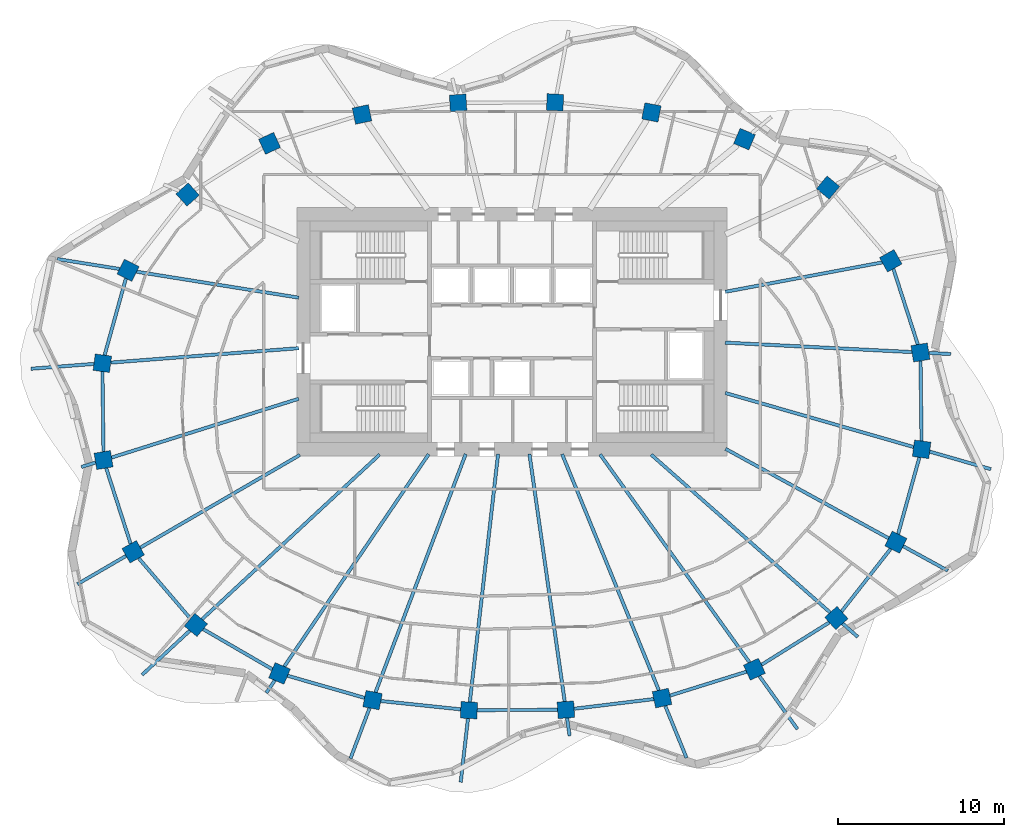
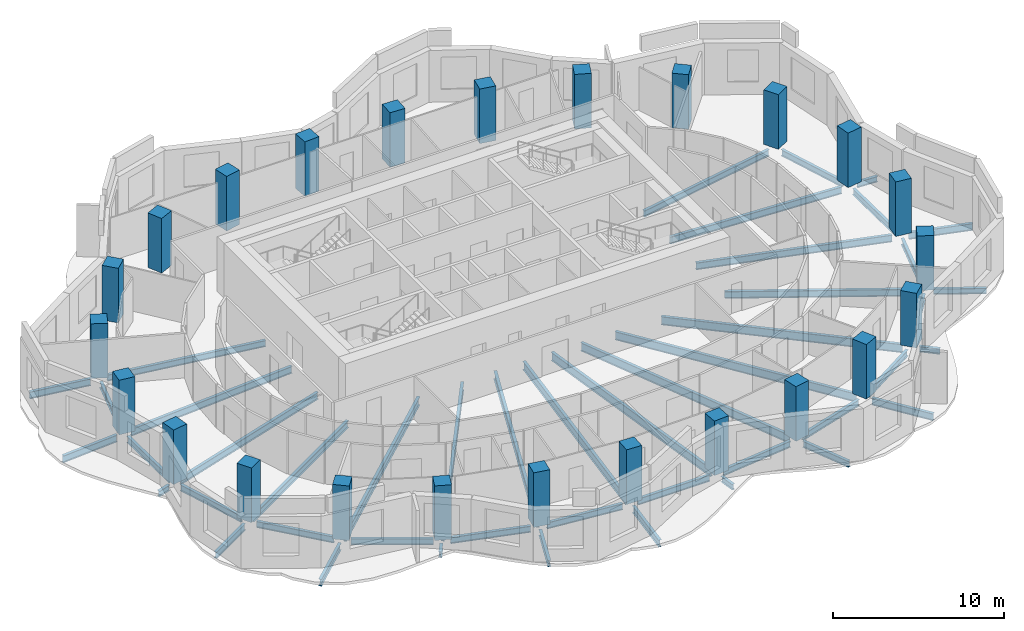
# One storey, part 1 of 11: 46 beams, 24 columns.
"""IFC4 building model written with IfcOpenShell, lengths in metres."""

from ifc_helpers import new_model, si_unit, direction, frame, origin, origin_2d, place, context, subcontext, project, spatial, rectangle, i_section, extrude, material, material_profile, profile_set, type_object, element, save


model = new_model("IFC4")

# Units and contexts
model_context = context("Model", 3, precision=1e-05, world=origin(), true_north=direction((0.0, 1.0)))
body_context = subcontext(model_context, "Body", "Model", "MODEL_VIEW")
ifc_project = project(units=[si_unit("LENGTHUNIT", "METRE"), si_unit("AREAUNIT", "SQUARE_METRE"), si_unit("VOLUMEUNIT", "CUBIC_METRE"), si_unit("PLANEANGLEUNIT", "RADIAN"), si_unit("MASSUNIT", "GRAM", prefix="KILO")], contexts=[model_context])

# Site, building, storey
site_placement = place(None, origin())
site = spatial("IfcSite", under=ifc_project, at=site_placement, CompositionType="ELEMENT")
building_placement = place(site_placement, origin())
building = spatial("IfcBuilding", under=site, at=building_placement, Name="Rubra Terraces Tower", CompositionType="ELEMENT")
storey_placement = place(building_placement, frame((0.0, 0.0, 237.0)))
storey = spatial("IfcBuildingStorey", under=building, at=storey_placement, Name="L58", CompositionType="ELEMENT", Elevation=237.0)

# Columns
ifc_material_1 = material(Name="Concrete C50", Category="concrete")
ifc_material_profile_1 = material_profile(ifc_material_1, rectangle(XDim=1.0, YDim=1.0, at=origin_2d()), Name="RC 1000x1000")
ifc_profile_set_1 = profile_set([ifc_material_profile_1], Name="Concrete C50")
column_type = type_object("IfcColumnType", Name="RING COLUMN RC 1000x1000 C50", PredefinedType="COLUMN", material=ifc_profile_set_1)
for number, where, z_axis, x_axis, name in (
    (1, (24.6689453125, 3.248046875, 0.0), (0.0, 0.0, 1.0), (-0.161559167715, 0.986863027642, 0.0), "column-L58-ring-01"),
    (2, (22.87890625, 8.787109375, 0.0), (0.0, 0.0, 1.0), (-0.48852601316, 0.872549330678, 0.0), "column-L58-ring-02"),
    (3, (19.092041015625, 13.208984375, 0.0), (0.0, 0.0, 1.0), (-0.76886986222, 0.63940529789, 0.0), "column-L58-ring-03"),
    (4, (14.0419921875, 16.135986328125, 0.0), (0.0, 0.0, 1.0), (-0.920167856842, 0.391524092789, 0.0), "column-L58-ring-04"),
    (5, (8.422119140625, 17.7490234375, 0.0), (0.0, 0.0, 1.0), (-0.981654668733, 0.19066754143, 0.0), "column-L58-ring-05"),
    (6, (2.60205078125, 18.35791015625, 0.0), (0.0, 0.0, 1.0), (-0.998764256028, 0.049698700995, 0.0), "column-L58-ring-06"),
    (7, (-3.25390625, 18.330078125, 0.0), (0.0, 0.0, 1.0), (-0.998031548759, -0.062713855578, 0.0), "column-L58-ring-07"),
    (8, (-9.06298828125, 17.625, 0.0), (0.0, 0.0, 1.0), (-0.977652674797, -0.210226657352, 0.0), "column-L58-ring-08"),
    (9, (-14.64306640625, 15.881103515625, 0.0), (0.0, 0.0, 1.0), (-0.908778580451, -0.417278673927, 0.0), "column-L58-ring-09"),
    (10, (-19.593017578125, 12.7900390625, 0.0), (0.0, 0.0, 1.0), (-0.744021317198, -0.668155879683, 0.0), "column-L58-ring-10"),
    (11, (-23.18505859375, 8.2099609375, 0.0), (0.0, 0.0, 1.0), (-0.451027931402, -0.892509834733, 0.0), "column-L58-ring-11"),
    (12, (-24.742919921875, 2.59912109375, 0.0), (0.0, 0.0, 1.0), (-0.128443684554, -0.991716804283, 0.0), "column-L58-ring-12"),
    (13, (-24.6689453125, -3.248046875, 0.0), (0.0, 0.0, 1.0), (0.161559167715, -0.986863027642, 0.0), "column-L58-ring-13"),
    (14, (-22.87890625, -8.787109375, 0.0), (0.0, 0.0, 1.0), (0.48852601316, -0.872549330678, 0.0), "column-L58-ring-14"),
    (15, (-19.092041015625, -13.208984375, 0.0), (0.0, 0.0, 1.0), (0.76886986222, -0.63940529789, 0.0), "column-L58-ring-15"),
    (16, (-14.0419921875, -16.135986328125, 0.0), (0.0, 0.0, 1.0), (0.920167856842, -0.391524092789, 0.0), "column-L58-ring-16"),
    (17, (-8.422119140625, -17.7490234375, 0.0), (0.0, 0.0, 1.0), (0.981654668733, -0.19066754143, 0.0), "column-L58-ring-17"),
    (18, (-2.60205078125, -18.35791015625, 0.0), (0.0, 0.0, 1.0), (0.998764256028, -0.049698700995, 0.0), "column-L58-ring-18"),
    (19, (3.25390625, -18.330078125, 0.0), (0.0, 0.0, 1.0), (0.998031548759, 0.062713855578, 0.0), "column-L58-ring-19"),
    (20, (9.06298828125, -17.625, 0.0), (0.0, 0.0, 1.0), (0.977652674797, 0.210226657352, 0.0), "column-L58-ring-20"),
    (21, (14.64306640625, -15.881103515625, 0.0), (0.0, 0.0, 1.0), (0.908778580451, 0.417278673927, 0.0), "column-L58-ring-21"),
    (22, (19.593017578125, -12.7900390625, 0.0), (0.0, 0.0, 1.0), (0.744021317198, 0.668155879683, 0.0), "column-L58-ring-22"),
    (23, (23.18505859375, -8.2099609375, 0.0), (0.0, 0.0, 1.0), (0.451027931402, 0.892509834733, 0.0), "column-L58-ring-23"),
    (24, (24.742919921875, -2.59912109375, 0.0), (0.0, 0.0, 1.0), (0.128443684554, 0.991716804283, 0.0), "column-L58-ring-24"),
):
    element("IfcColumn", number, at=place(storey_placement, frame(where, z_axis=z_axis, x_axis=x_axis)), inside=storey, type_object=column_type, Name=name, PredefinedType="COLUMN", context=body_context, shape_type="SweptSolid", body=[
        extrude(rectangle(XDim=1.0, YDim=1.0, at=origin_2d()), origin(), (0.0, 0.0, 1.0), 3.89990234375),
    ])

# Beams
ifc_material_2 = material(Name="Steel Q355B", Category="steel")
ifc_material_profile_2 = material_profile(ifc_material_2, i_section(OverallWidth=0.199951171875, OverallDepth=0.39990234375, WebThickness=0.008056640625, FlangeThickness=0.012939453125, at=origin_2d()), Name="HN 400x200x8x13")
ifc_profile_set_2 = profile_set([ifc_material_profile_2], Name="Steel Q355B")
beam_type_1 = type_object("IfcBeamType", Name="CANTILEVER BEAM HN 400x200x8x13", PredefinedType="BEAM", material=ifc_profile_set_2)
beam_1_placement = place(storey_placement, frame((23.6240234375, -8.449951171875, -0.39990234375), z_axis=(0.876753057926, -0.480940823197, 0.0), x_axis=(0.480940823197, 0.876753057926, 0.0)))
element("IfcBeam", 25, at=beam_1_placement, inside=storey, type_object=beam_type_1, Name="beam-L58-cant-23", PredefinedType="BEAM", context=body_context, shape_type="SweptSolid", body=[
    extrude(i_section(OverallWidth=0.199951171875, OverallDepth=0.39990234375, WebThickness=0.008056640625, FlangeThickness=0.012939453125, at=origin_2d()), origin(), (0.0, 0.0, 1.0), 3.0771484375),
])
ifc_material_profile_3 = material_profile(ifc_material_2, i_section(OverallWidth=0.198974609375, OverallDepth=0.446044921875, WebThickness=0.008056640625, FlangeThickness=0.011962890625, at=origin_2d()), Name="HN 446x199x8x12")
ifc_profile_set_3 = profile_set([ifc_material_profile_3], Name="Steel Q355B")
beam_type_2 = type_object("IfcBeamType", Name="CANTILEVER BEAM HN 446x199x8x12", PredefinedType="BEAM", material=ifc_profile_set_3)
beam_2_placement = place(storey_placement, frame((-23.31103515625, -9.0380859375, -0.423095703125), z_axis=(-0.864731547831, -0.50223435783, 0.0), x_axis=(0.50223435783, -0.864731547831, 0.0)))
element("IfcBeam", 26, at=beam_2_placement, inside=storey, type_object=beam_type_2, Name="beam-L58-cant-14", PredefinedType="BEAM", context=body_context, shape_type="SweptSolid", body=[
    extrude(i_section(OverallWidth=0.198974609375, OverallDepth=0.446044921875, WebThickness=0.008056640625, FlangeThickness=0.011962890625, at=origin_2d()), origin(), (0.0, 0.0, 1.0), 3.396484375),
])
beam_3_placement = place(storey_placement, frame((-8.60205078125, -18.222900390625, -0.423095703125), z_axis=(-0.353886787497, -0.935288266597, 0.0), x_axis=(0.935288266597, -0.353886787497, 0.0)))
element("IfcBeam", 27, at=beam_3_placement, inside=storey, type_object=beam_type_2, Name="beam-L58-cant-17", PredefinedType="BEAM", context=body_context, shape_type="SweptSolid", body=[
    extrude(i_section(OverallWidth=0.198974609375, OverallDepth=0.446044921875, WebThickness=0.008056640625, FlangeThickness=0.011962890625, at=origin_2d()), origin(), (0.0, 0.0, 1.0), 3.260986328125),
])
beam_4_placement = place(storey_placement, frame((9.256103515625, -18.094970703125, -0.423095703125), z_axis=(0.378957804719, -0.925413951831, 0.0), x_axis=(0.925413951831, 0.378957804719, 0.0)))
element("IfcBeam", 28, at=beam_4_placement, inside=storey, type_object=beam_type_2, Name="beam-L58-cant-20", PredefinedType="BEAM", context=body_context, shape_type="SweptSolid", body=[
    extrude(i_section(OverallWidth=0.198974609375, OverallDepth=0.446044921875, WebThickness=0.008056640625, FlangeThickness=0.011962890625, at=origin_2d()), origin(), (0.0, 0.0, 1.0), 3.393310546875),
])
ifc_material_profile_4 = material_profile(ifc_material_2, i_section(OverallWidth=0.198974609375, OverallDepth=0.49609375, WebThickness=0.009033203125, FlangeThickness=0.013916015625, at=origin_2d()), Name="HN 496x199x9x14")
ifc_profile_set_4 = profile_set([ifc_material_profile_4], Name="Steel Q355B")
beam_type_3 = type_object("IfcBeamType", Name="CANTILEVER BEAM HN 496x199x9x14", PredefinedType="BEAM", material=ifc_profile_set_4)
beam_5_placement = place(storey_placement, frame((-23.702880859375, 8.29296875, -0.447998046875), z_axis=(-0.98745581053, 0.157895605548, 0.0), x_axis=(-0.157895605548, -0.98745581053, 0.0)))
element("IfcBeam", 29, at=beam_5_placement, inside=storey, type_object=beam_type_3, Name="beam-L58-cant-11", PredefinedType="BEAM", context=body_context, shape_type="SweptSolid", body=[
    extrude(i_section(OverallWidth=0.198974609375, OverallDepth=0.49609375, WebThickness=0.009033203125, FlangeThickness=0.013916015625, at=origin_2d()), origin(), (0.0, 0.0, 1.0), 3.81298828125),
])
beam_6_placement = place(storey_placement, frame((-25.251953125, 2.56005859375, -0.447998046875), z_axis=(-0.997068393292, -0.076515482732, 0.0), x_axis=(0.076515482732, -0.997068393292, 0.0)))
element("IfcBeam", 30, at=beam_6_placement, inside=storey, type_object=beam_type_3, Name="beam-L58-cant-12", PredefinedType="BEAM", context=body_context, shape_type="SweptSolid", body=[
    extrude(i_section(OverallWidth=0.198974609375, OverallDepth=0.49609375, WebThickness=0.009033203125, FlangeThickness=0.013916015625, at=origin_2d()), origin(), (0.0, 0.0, 1.0), 3.816162109375),
])
beam_7_placement = place(storey_placement, frame((-19.4619140625, -13.552001953125, -0.447998046875), z_axis=(-0.733256316267, -0.679952332634, 0.0), x_axis=(0.679952332634, -0.733256316267, 0.0)))
element("IfcBeam", 31, at=beam_7_placement, inside=storey, type_object=beam_type_3, Name="beam-L58-cant-15", PredefinedType="BEAM", context=body_context, shape_type="SweptSolid", body=[
    extrude(i_section(OverallWidth=0.198974609375, OverallDepth=0.49609375, WebThickness=0.009033203125, FlangeThickness=0.013916015625, at=origin_2d()), origin(), (0.0, 0.0, 1.0), 3.92529296875),
])
beam_8_placement = place(storey_placement, frame((-2.658935546875, -18.85595703125, -0.447998046875), z_axis=(-0.113002967093, -0.993594650463, 0.0), x_axis=(0.993594650463, -0.113002967093, 0.0)))
element("IfcBeam", 32, at=beam_8_placement, inside=storey, type_object=beam_type_3, Name="beam-L58-cant-18", PredefinedType="BEAM", context=body_context, shape_type="SweptSolid", body=[
    extrude(i_section(OverallWidth=0.198974609375, OverallDepth=0.49609375, WebThickness=0.009033203125, FlangeThickness=0.013916015625, at=origin_2d()), origin(), (0.0, 0.0, 1.0), 3.8759765625),
])
beam_9_placement = place(storey_placement, frame((14.93994140625, -16.294921875, -0.447998046875), z_axis=(0.583477927211, -0.812128997424, 0.0), x_axis=(0.812128997424, 0.583477927211, 0.0)))
element("IfcBeam", 33, at=beam_9_placement, inside=storey, type_object=beam_type_3, Name="beam-L58-cant-21", PredefinedType="BEAM", context=body_context, shape_type="SweptSolid", body=[
    extrude(i_section(OverallWidth=0.198974609375, OverallDepth=0.49609375, WebThickness=0.009033203125, FlangeThickness=0.013916015625, at=origin_2d()), origin(), (0.0, 0.0, 1.0), 3.9453125),
])
beam_10_placement = place(storey_placement, frame((25.22900390625, -2.738037109375, -0.447998046875), z_axis=(0.961168845491, -0.275960958213, 0.0), x_axis=(0.275960958213, 0.961168845491, 0.0)))
element("IfcBeam", 34, at=beam_10_placement, inside=storey, type_object=beam_type_3, Name="beam-L58-cant-24", PredefinedType="BEAM", context=body_context, shape_type="SweptSolid", body=[
    extrude(i_section(OverallWidth=0.198974609375, OverallDepth=0.49609375, WebThickness=0.009033203125, FlangeThickness=0.013916015625, at=origin_2d()), origin(), (0.0, 0.0, 1.0), 3.848388671875),
])
ifc_material_profile_5 = material_profile(ifc_material_2, i_section(OverallWidth=0.199951171875, OverallDepth=0.39990234375, WebThickness=0.008056640625, FlangeThickness=0.012939453125, at=origin_2d()), Name="HN 400x200x8x13")
ifc_profile_set_5 = profile_set([ifc_material_profile_5], Name="Steel Q355B")
beam_type_4 = type_object("IfcBeamType", Name="CANTILEVER STUB HN 400x200x8x13", PredefinedType="BEAM", material=ifc_profile_set_5)
beam_11_placement = place(storey_placement, frame((25.179931640625, 3.221923828125, -0.39990234375), z_axis=(0.998722263749, -0.050535530982, 0.0), x_axis=(0.050535530982, 0.998722263749, 0.0)))
element("IfcBeam", 35, at=beam_11_placement, inside=storey, type_object=beam_type_4, Name="beam-L58-cant-01", PredefinedType="BEAM", context=body_context, shape_type="SweptSolid", body=[
    extrude(i_section(OverallWidth=0.199951171875, OverallDepth=0.39990234375, WebThickness=0.008056640625, FlangeThickness=0.012939453125, at=origin_2d()), origin(), (0.0, 0.0, 1.0), 1.32373046875),
])
beam_12_placement = place(storey_placement, frame((-25.15087890625, -3.39892578125, -0.39990234375), z_axis=(-0.953893863058, -0.300144128746, 0.0), x_axis=(0.300144128746, -0.953893863058, 0.0)))
element("IfcBeam", 36, at=beam_12_placement, inside=storey, type_object=beam_type_4, Name="beam-L58-cant-13", PredefinedType="BEAM", context=body_context, shape_type="SweptSolid", body=[
    extrude(i_section(OverallWidth=0.199951171875, OverallDepth=0.39990234375, WebThickness=0.008056640625, FlangeThickness=0.012939453125, at=origin_2d()), origin(), (0.0, 0.0, 1.0), 0.899658203125),
])
beam_13_placement = place(storey_placement, frame((-14.3291015625, -16.556884765625, -0.39990234375), z_axis=(-0.56169208574, -0.827346360853, 0.0), x_axis=(0.827346360853, -0.56169208574, 0.0)))
element("IfcBeam", 37, at=beam_13_placement, inside=storey, type_object=beam_type_4, Name="beam-L58-cant-16", PredefinedType="BEAM", context=body_context, shape_type="SweptSolid", body=[
    extrude(i_section(OverallWidth=0.199951171875, OverallDepth=0.39990234375, WebThickness=0.008056640625, FlangeThickness=0.012939453125, at=origin_2d()), origin(), (0.0, 0.0, 1.0), 0.907958984375),
])
beam_14_placement = place(storey_placement, frame((3.324951171875, -18.826904296875, -0.39990234375), z_axis=(0.14107703922, -0.989998620709, 0.0), x_axis=(0.989998620709, 0.14107703922, 0.0)))
element("IfcBeam", 38, at=beam_14_placement, inside=storey, type_object=beam_type_4, Name="beam-L58-cant-19", PredefinedType="BEAM", context=body_context, shape_type="SweptSolid", body=[
    extrude(i_section(OverallWidth=0.199951171875, OverallDepth=0.39990234375, WebThickness=0.008056640625, FlangeThickness=0.012939453125, at=origin_2d()), origin(), (0.0, 0.0, 1.0), 1.092041015625),
])
beam_15_placement = place(storey_placement, frame((19.969970703125, -13.123046875, -0.39990234375), z_axis=(0.749756467988, -0.66171386468, 0.0), x_axis=(0.66171386468, 0.749756467988, 0.0)))
element("IfcBeam", 39, at=beam_15_placement, inside=storey, type_object=beam_type_4, Name="beam-L58-cant-22", PredefinedType="BEAM", context=body_context, shape_type="SweptSolid", body=[
    extrude(i_section(OverallWidth=0.199951171875, OverallDepth=0.39990234375, WebThickness=0.008056640625, FlangeThickness=0.012939453125, at=origin_2d()), origin(), (0.0, 0.0, 1.0), 1.2255859375),
])
ifc_material_profile_6 = material_profile(ifc_material_2, i_section(OverallWidth=0.198974609375, OverallDepth=0.446044921875, WebThickness=0.008056640625, FlangeThickness=0.011962890625, at=origin_2d()), Name="HN 446x199x8x12")
ifc_profile_set_6 = profile_set([ifc_material_profile_6], Name="Steel Q355B")
beam_type_5 = type_object("IfcBeamType", Name="FLOOR BEAM HN 446x199x8x12", PredefinedType="BEAM", material=ifc_profile_set_6)
beam_16_placement = place(storey_placement, frame((22.360107421875, 8.68994140625, -0.423095703125), z_axis=(-0.982895681695, -0.18416318553, 0.0), x_axis=(0.18416318553, -0.982895681695, 0.0)))
element("IfcBeam", 40, at=beam_16_placement, inside=storey, type_object=beam_type_5, Name="beam-L58-floor-02", PredefinedType="BEAM", context=body_context, shape_type="SweptSolid", body=[
    extrude(i_section(OverallWidth=0.198974609375, OverallDepth=0.446044921875, WebThickness=0.008056640625, FlangeThickness=0.011962890625, at=origin_2d()), origin(), (0.0, 0.0, 1.0), 9.64306640625),
])
beam_17_placement = place(storey_placement, frame((-22.6669921875, 8.126953125, -0.423095703125), z_axis=(0.987435404133, -0.158023171289, 0.0), x_axis=(0.158023171289, 0.987435404133, 0.0)))
element("IfcBeam", 41, at=beam_17_placement, inside=storey, type_object=beam_type_5, Name="beam-L58-floor-11", PredefinedType="BEAM", context=body_context, shape_type="SweptSolid", body=[
    extrude(i_section(OverallWidth=0.198974609375, OverallDepth=0.446044921875, WebThickness=0.008056640625, FlangeThickness=0.011962890625, at=origin_2d()), origin(), (0.0, 0.0, 1.0), 9.909423828125),
])
ifc_material_profile_7 = material_profile(ifc_material_2, i_section(OverallWidth=0.198974609375, OverallDepth=0.49609375, WebThickness=0.009033203125, FlangeThickness=0.013916015625, at=origin_2d()), Name="HN 496x199x9x14")
ifc_profile_set_7 = profile_set([ifc_material_profile_7], Name="Steel Q355B")
beam_type_6 = type_object("IfcBeamType", Name="FLOOR BEAM HN 496x199x9x14", PredefinedType="BEAM", material=ifc_profile_set_7)
beam_18_placement = place(storey_placement, frame((24.157958984375, 3.27392578125, -0.447998046875), z_axis=(-0.998716228561, 0.050654662269, 0.0), x_axis=(-0.050654662269, -0.998716228561, 0.0)))
element("IfcBeam", 42, at=beam_18_placement, inside=storey, type_object=beam_type_6, Name="beam-L58-floor-01", PredefinedType="BEAM", context=body_context, shape_type="SweptSolid", body=[
    extrude(i_section(OverallWidth=0.198974609375, OverallDepth=0.49609375, WebThickness=0.009033203125, FlangeThickness=0.013916015625, at=origin_2d()), origin(), (0.0, 0.0, 1.0), 11.29248046875),
])
beam_19_placement = place(storey_placement, frame((-24.23388671875, 2.637939453125, -0.447998046875), z_axis=(0.997063306908, 0.076581734234, 0.0), x_axis=(-0.076581734234, 0.997063306908, 0.0)))
element("IfcBeam", 43, at=beam_19_placement, inside=storey, type_object=beam_type_6, Name="beam-L58-floor-12", PredefinedType="BEAM", context=body_context, shape_type="SweptSolid", body=[
    extrude(i_section(OverallWidth=0.198974609375, OverallDepth=0.49609375, WebThickness=0.009033203125, FlangeThickness=0.013916015625, at=origin_2d()), origin(), (0.0, 0.0, 1.0), 11.387451171875),
])
beam_20_placement = place(storey_placement, frame((-24.18701171875, -3.096923828125, -0.447998046875), z_axis=(0.954040699023, 0.299677067204, 0.0), x_axis=(-0.299677067204, 0.954040699023, 0.0)))
element("IfcBeam", 44, at=beam_20_placement, inside=storey, type_object=beam_type_6, Name="beam-L58-floor-13", PredefinedType="BEAM", context=body_context, shape_type="SweptSolid", body=[
    extrude(i_section(OverallWidth=0.198974609375, OverallDepth=0.49609375, WebThickness=0.009033203125, FlangeThickness=0.013916015625, at=origin_2d()), origin(), (0.0, 0.0, 1.0), 11.845458984375),
])
beam_21_placement = place(storey_placement, frame((-22.447021484375, -8.535888671875, -0.447998046875), z_axis=(0.864755491844, 0.502193129508, 0.0), x_axis=(-0.502193129508, 0.864755491844, 0.0)))
element("IfcBeam", 45, at=beam_21_placement, inside=storey, type_object=beam_type_6, Name="beam-L58-floor-14", PredefinedType="BEAM", context=body_context, shape_type="SweptSolid", body=[
    extrude(i_section(OverallWidth=0.198974609375, OverallDepth=0.49609375, WebThickness=0.009033203125, FlangeThickness=0.013916015625, at=origin_2d()), origin(), (0.0, 0.0, 1.0), 11.14306640625),
])
beam_22_placement = place(storey_placement, frame((22.74609375, -7.969970703125, -0.447998046875), z_axis=(-0.876862055903, 0.480742066932, 0.0), x_axis=(-0.480742066932, -0.876862055903, 0.0)))
element("IfcBeam", 46, at=beam_22_placement, inside=storey, type_object=beam_type_6, Name="beam-L58-floor-23", PredefinedType="BEAM", context=body_context, shape_type="SweptSolid", body=[
    extrude(i_section(OverallWidth=0.198974609375, OverallDepth=0.49609375, WebThickness=0.009033203125, FlangeThickness=0.013916015625, at=origin_2d()), origin(), (0.0, 0.0, 1.0), 11.234375),
])
beam_23_placement = place(storey_placement, frame((24.257080078125, -2.4599609375, -0.447998046875), z_axis=(-0.961215754667, 0.275797521707, 0.0), x_axis=(-0.275797521707, -0.961215754667, 0.0)))
element("IfcBeam", 47, at=beam_23_placement, inside=storey, type_object=beam_type_6, Name="beam-L58-floor-24", PredefinedType="BEAM", context=body_context, shape_type="SweptSolid", body=[
    extrude(i_section(OverallWidth=0.198974609375, OverallDepth=0.49609375, WebThickness=0.009033203125, FlangeThickness=0.013916015625, at=origin_2d()), origin(), (0.0, 0.0, 1.0), 11.830810546875),
])
ifc_material_profile_8 = material_profile(ifc_material_2, i_section(OverallWidth=0.198974609375, OverallDepth=0.595947265625, WebThickness=0.010009765625, FlangeThickness=0.014892578125, at=origin_2d()), Name="HN 596x199x10x15")
ifc_profile_set_8 = profile_set([ifc_material_profile_8], Name="Steel Q355B")
beam_type_7 = type_object("IfcBeamType", Name="FLOOR BEAM HN 596x199x10x15", PredefinedType="BEAM", material=ifc_profile_set_8)
beam_24_placement = place(storey_placement, frame((-18.721923828125, -12.865966796875, -0.498046875), z_axis=(0.733130458484, 0.680088031687, 0.0), x_axis=(-0.680088031687, 0.733130458484, 0.0)))
element("IfcBeam", 48, at=beam_24_placement, inside=storey, type_object=beam_type_7, Name="beam-L58-floor-15", PredefinedType="BEAM", context=body_context, shape_type="SweptSolid", body=[
    extrude(i_section(OverallWidth=0.198974609375, OverallDepth=0.595947265625, WebThickness=0.010009765625, FlangeThickness=0.014892578125, at=origin_2d()), origin(), (0.0, 0.0, 1.0), 14.62744140625),
])
beam_25_placement = place(storey_placement, frame((-13.7548828125, -15.715087890625, -0.498046875), z_axis=(0.562545242124, 0.826766503049, 0.0), x_axis=(-0.826766503049, 0.562545242124, 0.0)))
element("IfcBeam", 49, at=beam_25_placement, inside=storey, type_object=beam_type_7, Name="beam-L58-floor-16", PredefinedType="BEAM", context=body_context, shape_type="SweptSolid", body=[
    extrude(i_section(OverallWidth=0.198974609375, OverallDepth=0.595947265625, WebThickness=0.010009765625, FlangeThickness=0.014892578125, at=origin_2d()), origin(), (0.0, 0.0, 1.0), 15.499267578125),
])
beam_26_placement = place(storey_placement, frame((-8.241943359375, -17.27490234375, -0.498046875), z_axis=(0.353955134415, 0.93526240319, 0.0), x_axis=(-0.93526240319, 0.353955134415, 0.0)))
element("IfcBeam", 50, at=beam_26_placement, inside=storey, type_object=beam_type_7, Name="beam-L58-floor-17", PredefinedType="BEAM", context=body_context, shape_type="SweptSolid", body=[
    extrude(i_section(OverallWidth=0.198974609375, OverallDepth=0.595947265625, WebThickness=0.010009765625, FlangeThickness=0.014892578125, at=origin_2d()), origin(), (0.0, 0.0, 1.0), 15.3828125),
])
beam_27_placement = place(storey_placement, frame((-2.544921875, -17.860107421875, -0.498046875), z_axis=(0.113084825914, 0.993585337124, 0.0), x_axis=(-0.993585337124, 0.113084825914, 0.0)))
element("IfcBeam", 51, at=beam_27_placement, inside=storey, type_object=beam_type_7, Name="beam-L58-floor-18", PredefinedType="BEAM", context=body_context, shape_type="SweptSolid", body=[
    extrude(i_section(OverallWidth=0.198974609375, OverallDepth=0.595947265625, WebThickness=0.010009765625, FlangeThickness=0.014892578125, at=origin_2d()), origin(), (0.0, 0.0, 1.0), 15.07568359375),
])
beam_28_placement = place(storey_placement, frame((3.18310546875, -17.8330078125, -0.498046875), z_axis=(-0.141104514479, 0.989994705033, 0.0), x_axis=(-0.989994705033, -0.141104514479, 0.0)))
element("IfcBeam", 52, at=beam_28_placement, inside=storey, type_object=beam_type_7, Name="beam-L58-floor-19", PredefinedType="BEAM", context=body_context, shape_type="SweptSolid", body=[
    extrude(i_section(OverallWidth=0.198974609375, OverallDepth=0.595947265625, WebThickness=0.010009765625, FlangeThickness=0.014892578125, at=origin_2d()), origin(), (0.0, 0.0, 1.0), 15.10302734375),
])
beam_29_placement = place(storey_placement, frame((8.8701171875, -17.155029296875, -0.498046875), z_axis=(-0.379015131933, 0.925390474214, 0.0), x_axis=(-0.925390474214, -0.379015131933, 0.0)))
element("IfcBeam", 53, at=beam_29_placement, inside=storey, type_object=beam_type_7, Name="beam-L58-floor-20", PredefinedType="BEAM", context=body_context, shape_type="SweptSolid", body=[
    extrude(i_section(OverallWidth=0.198974609375, OverallDepth=0.595947265625, WebThickness=0.010009765625, FlangeThickness=0.014892578125, at=origin_2d()), origin(), (0.0, 0.0, 1.0), 15.416259765625),
])
beam_30_placement = place(storey_placement, frame((14.345947265625, -15.467041015625, -0.498046875), z_axis=(-0.583528740197, 0.812092488183, 0.0), x_axis=(-0.812092488183, -0.583528740197, 0.0)))
element("IfcBeam", 54, at=beam_30_placement, inside=storey, type_object=beam_type_7, Name="beam-L58-floor-21", PredefinedType="BEAM", context=body_context, shape_type="SweptSolid", body=[
    extrude(i_section(OverallWidth=0.198974609375, OverallDepth=0.595947265625, WebThickness=0.010009765625, FlangeThickness=0.014892578125, at=origin_2d()), origin(), (0.0, 0.0, 1.0), 15.47119140625),
])
beam_31_placement = place(storey_placement, frame((19.216064453125, -12.45703125, -0.498046875), z_axis=(-0.749823025288, 0.661638444128, 0.0), x_axis=(-0.661638444128, -0.749823025288, 0.0)))
element("IfcBeam", 55, at=beam_31_placement, inside=storey, type_object=beam_type_7, Name="beam-L58-floor-22", PredefinedType="BEAM", context=body_context, shape_type="SweptSolid", body=[
    extrude(i_section(OverallWidth=0.198974609375, OverallDepth=0.595947265625, WebThickness=0.010009765625, FlangeThickness=0.014892578125, at=origin_2d()), origin(), (0.0, 0.0, 1.0), 14.412841796875),
])
ifc_material_profile_9 = material_profile(ifc_material_2, i_section(OverallWidth=0.198974609375, OverallDepth=0.446044921875, WebThickness=0.008056640625, FlangeThickness=0.011962890625, at=origin_2d()), Name="HN 446x199x8x12")
ifc_profile_set_9 = profile_set([ifc_material_profile_9], Name="Steel Q355B")
beam_type_8 = type_object("IfcBeamType", Name="SPANDREL BEAM HN 446x199x8x12", PredefinedType="SPANDREL", material=ifc_profile_set_9)
beam_32_placement = place(storey_placement, frame((24.512939453125, 3.72900390625, -0.423095703125), z_axis=(-0.307359002872, 0.951593633519, 0.0), x_axis=(-0.951593633519, -0.307359002872, 0.0)))
element("IfcBeam", 56, at=beam_32_placement, inside=storey, type_object=beam_type_8, Name="beam-L58-spandrel-01", PredefinedType="SPANDREL", context=body_context, shape_type="SweptSolid", body=[
    extrude(i_section(OverallWidth=0.198974609375, OverallDepth=0.446044921875, WebThickness=0.008056640625, FlangeThickness=0.011962890625, at=origin_2d()), origin(), (0.0, 0.0, 1.0), 4.8056640625),
])
beam_33_placement = place(storey_placement, frame((-23.321044921875, 7.718994140625, -0.423095703125), z_axis=(-0.267625533012, -0.963523001324, 0.0), x_axis=(0.963523001324, -0.267625533012, 0.0)))
element("IfcBeam", 57, at=beam_33_placement, inside=storey, type_object=beam_type_8, Name="beam-L58-spandrel-11", PredefinedType="SPANDREL", context=body_context, shape_type="SweptSolid", body=[
    extrude(i_section(OverallWidth=0.198974609375, OverallDepth=0.446044921875, WebThickness=0.008056640625, FlangeThickness=0.011962890625, at=origin_2d()), origin(), (0.0, 0.0, 1.0), 4.808349609375),
])
beam_34_placement = place(storey_placement, frame((-24.737060546875, 2.093994140625, -0.423095703125), z_axis=(0.012822047643, -0.999917794168, 0.0), x_axis=(0.999917794168, 0.012822047643, 0.0)))
element("IfcBeam", 58, at=beam_34_placement, inside=storey, type_object=beam_type_8, Name="beam-L58-spandrel-12", PredefinedType="SPANDREL", context=body_context, shape_type="SweptSolid", body=[
    extrude(i_section(OverallWidth=0.198974609375, OverallDepth=0.446044921875, WebThickness=0.008056640625, FlangeThickness=0.011962890625, at=origin_2d()), origin(), (0.0, 0.0, 1.0), 4.83642578125),
])
beam_35_placement = place(storey_placement, frame((-24.512939453125, -3.72900390625, -0.423095703125), z_axis=(0.307359002872, -0.951593633519, 0.0), x_axis=(0.951593633519, 0.307359002872, 0.0)))
element("IfcBeam", 59, at=beam_35_placement, inside=storey, type_object=beam_type_8, Name="beam-L58-spandrel-13", PredefinedType="SPANDREL", context=body_context, shape_type="SweptSolid", body=[
    extrude(i_section(OverallWidth=0.198974609375, OverallDepth=0.446044921875, WebThickness=0.008056640625, FlangeThickness=0.011962890625, at=origin_2d()), origin(), (0.0, 0.0, 1.0), 4.8056640625),
])
beam_36_placement = place(storey_placement, frame((-22.547119140625, -9.174072265625, -0.423095703125), z_axis=(0.650372836218, -0.759615148552, 0.0), x_axis=(0.759615148552, 0.650372836218, 0.0)))
element("IfcBeam", 60, at=beam_36_placement, inside=storey, type_object=beam_type_8, Name="beam-L58-spandrel-14", PredefinedType="SPANDREL", context=body_context, shape_type="SweptSolid", body=[
    extrude(i_section(OverallWidth=0.198974609375, OverallDepth=0.446044921875, WebThickness=0.008056640625, FlangeThickness=0.011962890625, at=origin_2d()), origin(), (0.0, 0.0, 1.0), 4.804931640625),
])
beam_37_placement = place(storey_placement, frame((-18.653076171875, -13.462890625, -0.423095703125), z_axis=(0.865153680787, -0.501506838059, 0.0), x_axis=(0.501506838059, 0.865153680787, 0.0)))
element("IfcBeam", 61, at=beam_37_placement, inside=storey, type_object=beam_type_8, Name="beam-L58-spandrel-15", PredefinedType="SPANDREL", context=body_context, shape_type="SweptSolid", body=[
    extrude(i_section(OverallWidth=0.198974609375, OverallDepth=0.446044921875, WebThickness=0.008056640625, FlangeThickness=0.011962890625, at=origin_2d()), origin(), (0.0, 0.0, 1.0), 4.82568359375),
])
beam_38_placement = place(storey_placement, frame((-13.55810546875, -16.27490234375, -0.423095703125), z_axis=(0.961171164323, -0.275952881621, 0.0), x_axis=(0.275952881621, 0.961171164323, 0.0)))
element("IfcBeam", 62, at=beam_38_placement, inside=storey, type_object=beam_type_8, Name="beam-L58-spandrel-16", PredefinedType="SPANDREL", context=body_context, shape_type="SweptSolid", body=[
    extrude(i_section(OverallWidth=0.198974609375, OverallDepth=0.446044921875, WebThickness=0.008056640625, FlangeThickness=0.011962890625, at=origin_2d()), origin(), (0.0, 0.0, 1.0), 4.842041015625),
])
beam_39_placement = place(storey_placement, frame((-7.923095703125, -17.801025390625, -0.423095703125), z_axis=(0.994565426955, -0.104113454971, 0.0), x_axis=(0.104113454971, 0.994565426955, 0.0)))
element("IfcBeam", 63, at=beam_39_placement, inside=storey, type_object=beam_type_8, Name="beam-L58-spandrel-17", PredefinedType="SPANDREL", context=body_context, shape_type="SweptSolid", body=[
    extrude(i_section(OverallWidth=0.198974609375, OverallDepth=0.446044921875, WebThickness=0.008056640625, FlangeThickness=0.011962890625, at=origin_2d()), origin(), (0.0, 0.0, 1.0), 4.849365234375),
])
beam_40_placement = place(storey_placement, frame((-2.10107421875, -18.35595703125, -0.423095703125), z_axis=(0.999987852299, 0.004929021704, 0.0), x_axis=(-0.004929021704, 0.999987852299, 0.0)))
element("IfcBeam", 64, at=beam_40_placement, inside=storey, type_object=beam_type_8, Name="beam-L58-spandrel-18", PredefinedType="SPANDREL", context=body_context, shape_type="SweptSolid", body=[
    extrude(i_section(OverallWidth=0.198974609375, OverallDepth=0.446044921875, WebThickness=0.008056640625, FlangeThickness=0.011962890625, at=origin_2d()), origin(), (0.0, 0.0, 1.0), 4.85400390625),
])
beam_41_placement = place(storey_placement, frame((3.7509765625, -18.27001953125, -0.423095703125), z_axis=(0.992698018573, 0.120626049929, 0.0), x_axis=(-0.120626049929, 0.992698018573, 0.0)))
element("IfcBeam", 65, at=beam_41_placement, inside=storey, type_object=beam_type_8, Name="beam-L58-spandrel-19", PredefinedType="SPANDREL", context=body_context, shape_type="SweptSolid", body=[
    extrude(i_section(OverallWidth=0.198974609375, OverallDepth=0.446044921875, WebThickness=0.008056640625, FlangeThickness=0.011962890625, at=origin_2d()), origin(), (0.0, 0.0, 1.0), 4.849365234375),
])
beam_42_placement = place(storey_placement, frame((9.5419921875, -17.47509765625, -0.423095703125), z_axis=(0.954462027342, 0.298332429282, 0.0), x_axis=(-0.298332429282, 0.954462027342, 0.0)))
element("IfcBeam", 66, at=beam_42_placement, inside=storey, type_object=beam_type_8, Name="beam-L58-spandrel-20", PredefinedType="SPANDREL", context=body_context, shape_type="SweptSolid", body=[
    extrude(i_section(OverallWidth=0.198974609375, OverallDepth=0.446044921875, WebThickness=0.008056640625, FlangeThickness=0.011962890625, at=origin_2d()), origin(), (0.0, 0.0, 1.0), 4.840576171875),
])
beam_43_placement = place(storey_placement, frame((15.071044921875, -15.614013671875, -0.423095703125), z_axis=(0.848183088492, 0.529703170083, 0.0), x_axis=(-0.529703170083, 0.848183088492, 0.0)))
element("IfcBeam", 67, at=beam_43_placement, inside=storey, type_object=beam_type_8, Name="beam-L58-spandrel-21", PredefinedType="SPANDREL", context=body_context, shape_type="SweptSolid", body=[
    extrude(i_section(OverallWidth=0.198974609375, OverallDepth=0.446044921875, WebThickness=0.008056640625, FlangeThickness=0.011962890625, at=origin_2d()), origin(), (0.0, 0.0, 1.0), 4.8232421875),
])
beam_44_placement = place(storey_placement, frame((19.906005859375, -12.39111328125, -0.423095703125), z_axis=(0.617060338015, 0.786915840004, 0.0), x_axis=(-0.786915840004, 0.617060338015, 0.0)))
element("IfcBeam", 68, at=beam_44_placement, inside=storey, type_object=beam_type_8, Name="beam-L58-spandrel-22", PredefinedType="SPANDREL", context=body_context, shape_type="SweptSolid", body=[
    extrude(i_section(OverallWidth=0.198974609375, OverallDepth=0.446044921875, WebThickness=0.008056640625, FlangeThickness=0.011962890625, at=origin_2d()), origin(), (0.0, 0.0, 1.0), 4.8037109375),
])
beam_45_placement = place(storey_placement, frame((23.321044921875, -7.718994140625, -0.423095703125), z_axis=(0.267625533012, 0.963523001324, 0.0), x_axis=(-0.963523001324, 0.267625533012, 0.0)))
element("IfcBeam", 69, at=beam_45_placement, inside=storey, type_object=beam_type_8, Name="beam-L58-spandrel-23", PredefinedType="SPANDREL", context=body_context, shape_type="SweptSolid", body=[
    extrude(i_section(OverallWidth=0.198974609375, OverallDepth=0.446044921875, WebThickness=0.008056640625, FlangeThickness=0.011962890625, at=origin_2d()), origin(), (0.0, 0.0, 1.0), 4.808349609375),
])
beam_46_placement = place(storey_placement, frame((24.737060546875, -2.093994140625, -0.423095703125), z_axis=(-0.012822047643, 0.999917794168, 0.0), x_axis=(-0.999917794168, -0.012822047643, 0.0)))
element("IfcBeam", 70, at=beam_46_placement, inside=storey, type_object=beam_type_8, Name="beam-L58-spandrel-24", PredefinedType="SPANDREL", context=body_context, shape_type="SweptSolid", body=[
    extrude(i_section(OverallWidth=0.198974609375, OverallDepth=0.446044921875, WebThickness=0.008056640625, FlangeThickness=0.011962890625, at=origin_2d()), origin(), (0.0, 0.0, 1.0), 4.83642578125),
])

save(model, "model.ifc")
